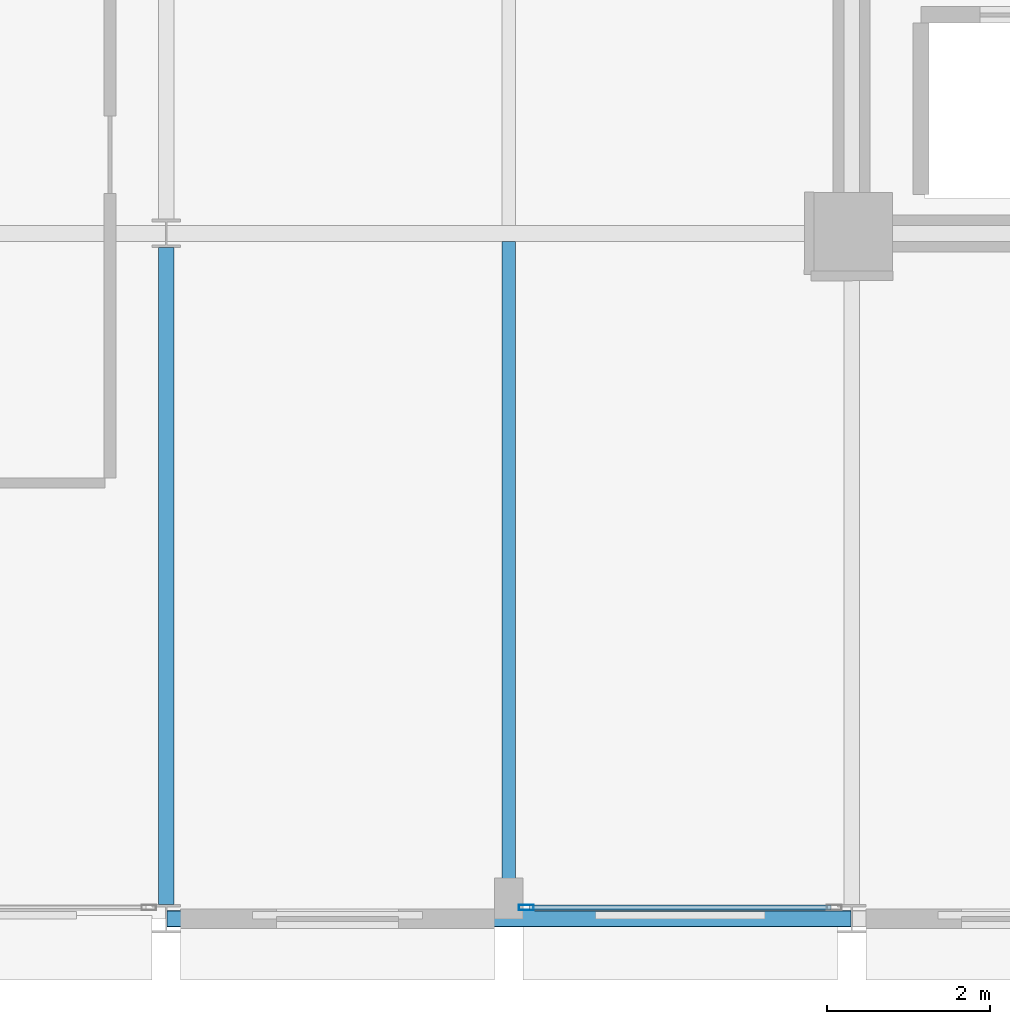
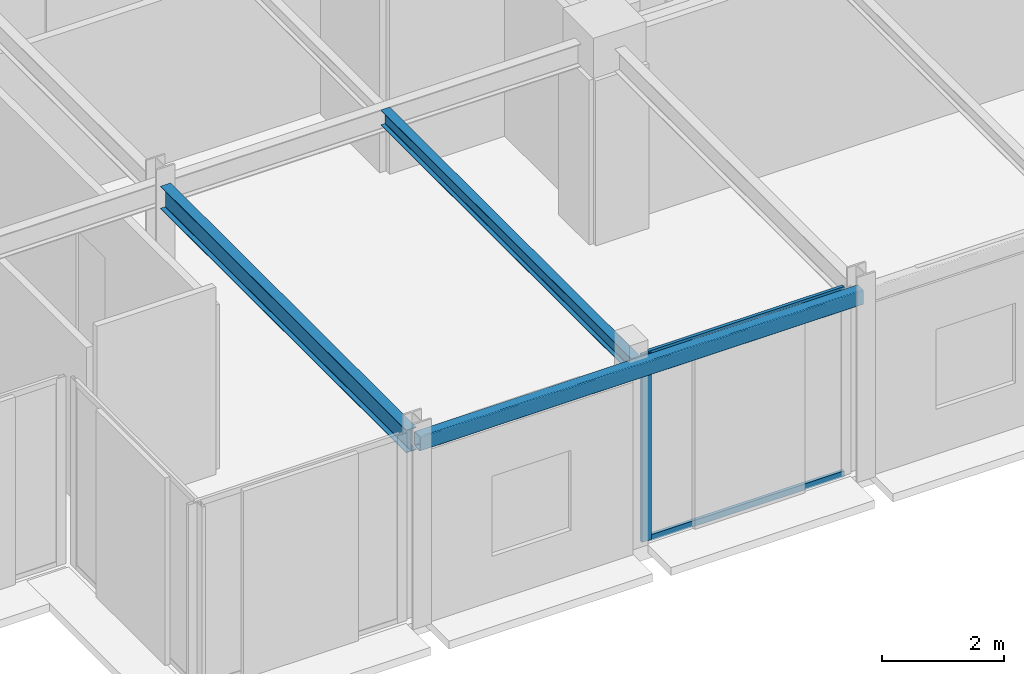
# One storey, part 3 of 26: 3 beams, 3 members, 1 element without a shape of its own.
"""IFC4 building model written with IfcOpenShell, lengths in metres."""

from ifc_helpers import new_model, si_unit, direction, frame, origin, origin_2d, place, context, subcontext, project, spatial, hollow_rectangle, i_section, extrude, material, layer, layer_set, material_profile, profile_set, type_object, element, aggregate, save


model = new_model("IFC4")

# Units and contexts
model_context = context("Model", 3, precision=1e-05, world=origin(), true_north=direction((0.0, 1.0)))
body_context = subcontext(model_context, "Body", "Model", "MODEL_VIEW")
ifc_project = project(units=[si_unit("LENGTHUNIT", "METRE"), si_unit("AREAUNIT", "SQUARE_METRE"), si_unit("VOLUMEUNIT", "CUBIC_METRE"), si_unit("PLANEANGLEUNIT", "RADIAN"), si_unit("MASSUNIT", "GRAM", prefix="KILO")], contexts=[model_context])

# Site, building, storey
site_placement = place(None, origin())
site = spatial("IfcSite", under=ifc_project, at=site_placement, CompositionType="ELEMENT")
building_placement = place(site_placement, origin())
building = spatial("IfcBuilding", under=site, at=building_placement, Name="Nerrivon Quay Data Exchange", CompositionType="ELEMENT")
storey_placement = place(building_placement, frame((0.0, 0.0, 241.10009765625)))
storey = spatial("IfcBuildingStorey", under=building, at=storey_placement, Name="L57", CompositionType="ELEMENT", Elevation=241.10009765625)

# Beams
ifc_material_1 = material(Name="Steel Grade 350", Category="steel")
ifc_material_profile_1 = material_profile(ifc_material_1, i_section(OverallWidth=0.18994140625, OverallDepth=0.4541015625, WebThickness=0.008544921875, FlangeThickness=0.0126953125, FilletRadius=0.011474609375, at=origin_2d()), Name="460UB67.1")
ifc_profile_set_1 = profile_set([ifc_material_profile_1], Name="Steel Grade 350")
beam_type_1 = type_object("IfcBeamType", Name="BM-G6-460UB67", PredefinedType="BEAM", material=ifc_profile_set_1)
beam_1_placement = place(storey_placement, frame((8.39990234375, 0.175048828125, 3.52294921875), z_axis=(0.0, 1.0, 0.0), x_axis=(-1.0, 0.0, 0.0)))
element("IfcBeam", 1, at=beam_1_placement, inside=storey, type_object=beam_type_1, Name="L57 NS Girder X=8.4 (0.0..8.4)", PredefinedType="BEAM", context=body_context, shape_type="SweptSolid", body=[
    extrude(i_section(OverallWidth=0.18994140625, OverallDepth=0.4541015625, WebThickness=0.008544921875, FlangeThickness=0.0126953125, FilletRadius=0.011474609375, at=origin_2d()), origin(), (0.0, 0.0, 1.0), 8.050048828125),
])
ifc_material_profile_2 = material_profile(ifc_material_1, i_section(OverallWidth=0.166015625, OverallDepth=0.306884765625, WebThickness=0.006591796875, FlangeThickness=0.01171875, FilletRadius=0.011474609375, at=origin_2d()), Name="310UB46.2")
ifc_profile_set_2 = profile_set([ifc_material_profile_2], Name="Steel Grade 350")
beam_type_2 = type_object("IfcBeamType", Name="BM-J5-310UB46", PredefinedType="JOIST", material=ifc_profile_set_2)
beam_2_placement = place(storey_placement, frame((12.60009765625, 0.10009765625, 3.596435546875), z_axis=(0.0, 1.0, 0.0), x_axis=(-1.0, 0.0, 0.0)))
element("IfcBeam", 2, at=beam_2_placement, inside=storey, type_object=beam_type_2, Name="L57 Secondary Joist X=12.6 (0.0..8.4)", PredefinedType="JOIST", context=body_context, shape_type="SweptSolid", body=[
    extrude(i_section(OverallWidth=0.166015625, OverallDepth=0.306884765625, WebThickness=0.006591796875, FlangeThickness=0.01171875, FilletRadius=0.011474609375, at=origin_2d()), origin(), (0.0, 0.0, 1.0), 8.204345703125),
])
ifc_material_2 = material(Name="Steel Grade C350L0 (350 MPa)", Category="steel")
ifc_material_profile_3 = material_profile(ifc_material_2, hollow_rectangle(XDim=0.199951171875, YDim=0.300048828125, WallThickness=0.012451171875, InnerFilletRadius=0.018798828125, OuterFilletRadius=0.03125, at=origin_2d()), Name="300x200x12.5RHS")
ifc_profile_set_3 = profile_set([ifc_material_profile_3], Name="Steel Grade C350L0 (350 MPa)")
beam_type_3 = type_object("IfcBeamType", Name="BM-SP3-300x200RHS", PredefinedType="SPANDREL", material=ifc_profile_set_3)
beam_3_placement = place(storey_placement, frame((8.409912109375, 0.0, 3.599853515625), z_axis=(1.0, 0.0, 0.0), x_axis=(0.0, 1.0, 0.0)))
element("IfcBeam", 3, at=beam_3_placement, inside=storey, type_object=beam_type_3, Name="L57 EW Girder Y=0.0 (8.4..16.8)", PredefinedType="SPANDREL", context=body_context, shape_type="SweptSolid", body=[
    extrude(hollow_rectangle(XDim=0.199951171875, YDim=0.300048828125, WallThickness=0.012451171875, InnerFilletRadius=0.018798828125, OuterFilletRadius=0.03125, at=origin_2d()), origin(), (0.0, 0.0, 1.0), 8.380126953125),
])

# Curtain wall, members
ifc_material_3 = material(Name="Anodised aluminium 6063-T6", Category="aluminium")
ifc_layer = layer(ifc_material_3, 0.195068359375)
ifc_layer_set = layer_set([ifc_layer], Name="Anodised aluminium 6063-T6")
curtain_wall_type = type_object("IfcCurtainWallType", Name="CW-SYS-06", PredefinedType="NOTDEFINED", material=ifc_layer_set)
curtain_wall_placement = place(storey_placement, origin())
curtain_wall = element("IfcCurtainWall", 4, at=curtain_wall_placement, inside=storey, type_object=curtain_wall_type, Name="L57 Unitised Curtain Wall 6", PredefinedType="NOTDEFINED")
ifc_material_profile_4 = material_profile(ifc_material_3, hollow_rectangle(XDim=0.06494140625, YDim=0.179931640625, WallThickness=0.00341796875, at=origin_2d()), Name="ALU-MULL-180x65")
ifc_profile_set_4 = profile_set([ifc_material_profile_4], Name="Anodised aluminium 6063-T6")
member_type_1 = type_object("IfcMemberType", Name="CWM-180x65", PredefinedType="MULLION", material=ifc_profile_set_4)
member_1_placement = place(storey_placement, frame((12.8125, 0.139892578125, 0.0), z_axis=(0.0, 0.0, 1.0), x_axis=(0.0, -1.0, 0.0)))
member_1 = element("IfcMember", 5, at=member_1_placement, type_object=member_type_1, Name="CW06 mullion 2", PredefinedType="MULLION", context=body_context, shape_type="SweptSolid", body=[
    extrude(hollow_rectangle(XDim=0.06494140625, YDim=0.179931640625, WallThickness=0.00341796875, at=origin_2d()), origin(), (0.0, 0.0, 1.0), 3.75),
])
ifc_material_profile_5 = material_profile(ifc_material_3, hollow_rectangle(XDim=0.06005859375, YDim=0.1201171875, WallThickness=0.003173828125, at=origin_2d()), Name="ALU-TRAN-120x60")
ifc_profile_set_5 = profile_set([ifc_material_profile_5], Name="Anodised aluminium 6063-T6")
member_type_2 = type_object("IfcMemberType", Name="CWT-120x60", PredefinedType="USERDEFINED", material=ifc_profile_set_5)
member_2_placement = place(storey_placement, frame((16.550048828125, 0.139892578125, 0.032470703125), z_axis=(-1.0, 0.0, 0.0), x_axis=(0.0, -1.0, 0.0)))
member_2 = element("IfcMember", 6, at=member_2_placement, type_object=member_type_2, Name="CW06 transom 1.1", ObjectType="TRANSOM", PredefinedType="USERDEFINED", context=body_context, shape_type="SweptSolid", body=[
    extrude(hollow_rectangle(XDim=0.06005859375, YDim=0.1201171875, WallThickness=0.003173828125, at=origin_2d()), origin(), (0.0, 0.0, 1.0), 3.699951171875),
])
member_3_placement = place(storey_placement, frame((16.550048828125, 0.139892578125, 3.71728515625), z_axis=(-1.0, 0.0, 0.0), x_axis=(0.0, -1.0, 0.0)))
member_3 = element("IfcMember", 7, at=member_3_placement, type_object=member_type_2, Name="CW06 transom 1.2", ObjectType="TRANSOM", PredefinedType="USERDEFINED", context=body_context, shape_type="SweptSolid", body=[
    extrude(hollow_rectangle(XDim=0.06005859375, YDim=0.1201171875, WallThickness=0.003173828125, at=origin_2d()), origin(), (0.0, 0.0, 1.0), 3.699951171875),
])
aggregate(curtain_wall, [member_1, member_2, member_3])

save(model, "model.ifc")
